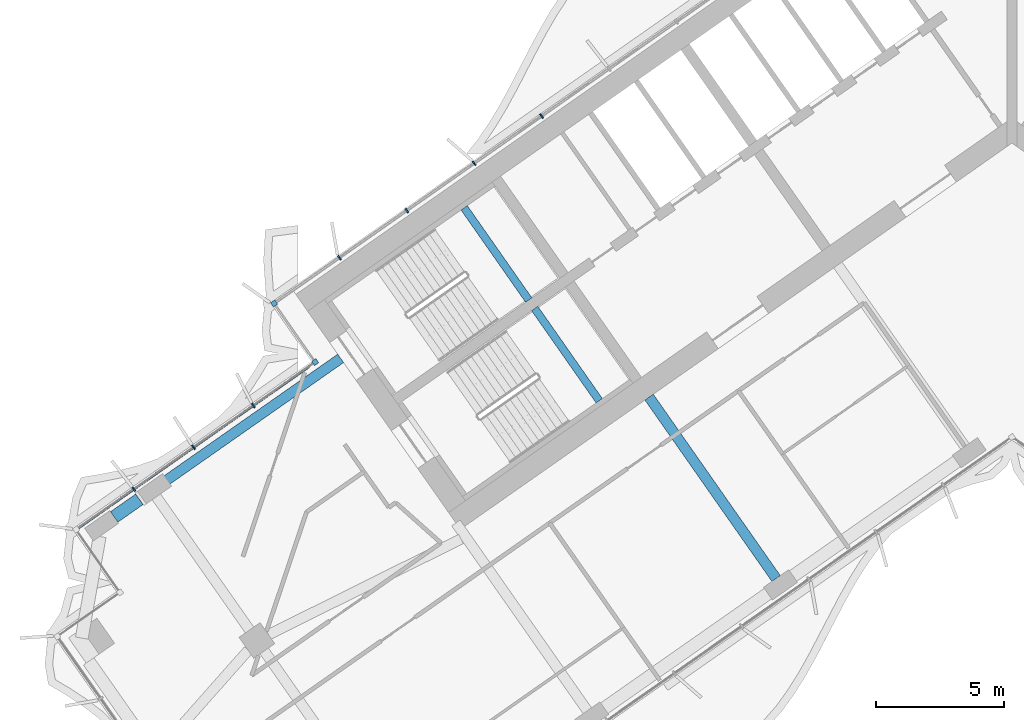
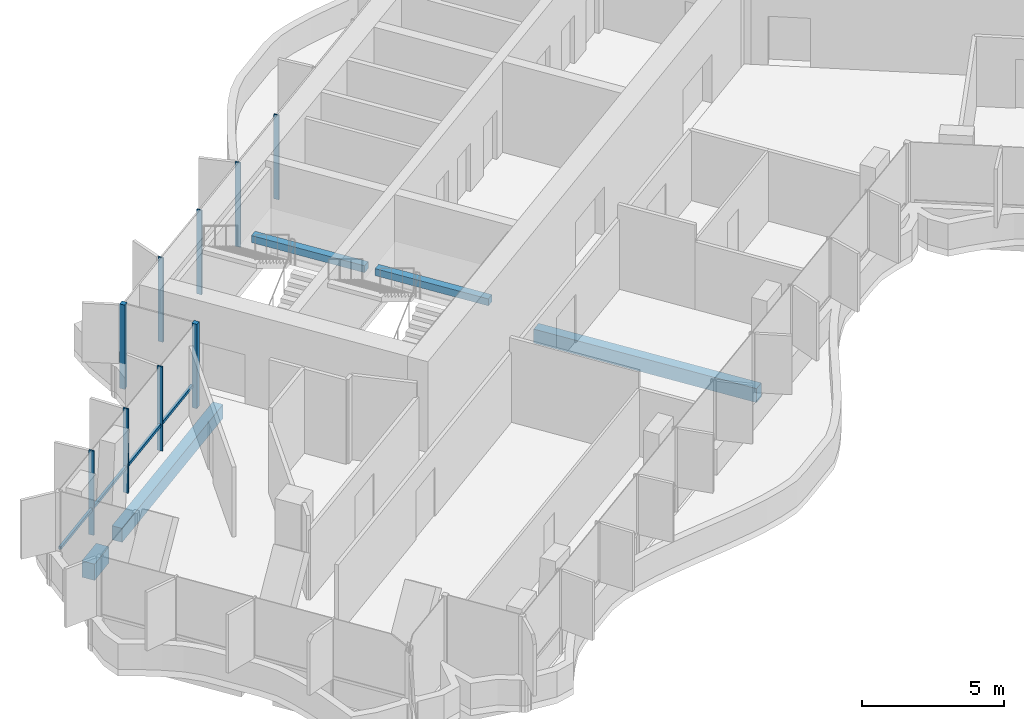
# One storey, part 4 of 23: 10 members, 5 beams, 2 elements without a shape of their own.
"""IFC4 building model written with IfcOpenShell, lengths in metres."""

import ifcopenshell
import ifcopenshell.guid

model = None  # the IFC model being written
_history = None  # IfcOwnerHistory: only IFC2X3 demands one
_inside = {}  # id of a spatial element -> (the spatial element, [elements in it])
_under = {}  # id of a project, library or spatial element -> (it, [spatial elements below it])
_declared = {}  # id of a project -> (the project, [libraries it declares])
_typed = {}  # id of a type object -> (the type object, [elements of that type])
_made_of = {}  # id of a material, layer set ... -> (it, [elements and type objects made of it])


def new_model(schema):
    """Start an empty IFC model of exactly this schema.

    Asked for "IFC4X3", IfcOpenShell would pick the latest addendum, in which some entities
    have other attributes; the version numbers below select the first issue.
    IFC2X3 requires an IfcOwnerHistory on every rooted entity: one is made here for all.
    """
    global model, _history
    if schema == "IFC4X3":
        model = ifcopenshell.file(schema_version=(4, 3, 0, 0))
    else:
        model = ifcopenshell.file(schema=schema)
    _inside.clear()
    _under.clear()
    _declared.clear()
    _typed.clear()
    _made_of.clear()
    _history = None
    if model.schema == "IFC2X3":
        org = make("IfcOrganization", Name="unknown")
        user = make(
            "IfcPersonAndOrganization",
            ThePerson=make("IfcPerson", FamilyName="unknown"),
            TheOrganization=org,
        )
        app = make(
            "IfcApplication",
            ApplicationDeveloper=org,
            Version="unknown",
            ApplicationFullName="unknown",
            ApplicationIdentifier="unknown",
        )
        _history = make(
            "IfcOwnerHistory",
            OwningUser=user,
            OwningApplication=app,
            ChangeAction="ADDED",
            CreationDate=0,
        )
    return model


def make(cls, **values):
    """One entity of the class cls with the attributes given. An attribute that is None is left unset."""
    return model.create_entity(
        cls, **{name: value for name, value in values.items() if value is not None}
    )


def rooted(cls, **values):
    """An entity with a GlobalId (a new one), such as an element, a storey or a relation."""
    return make(cls, GlobalId=ifcopenshell.guid.new(), OwnerHistory=_history, **values)


def si_unit(unit_type, name, prefix=None):
    """IfcSIUnit, for example si_unit("LENGTHUNIT", "METRE", prefix="MILLI")."""
    return make("IfcSIUnit", UnitType=unit_type, Prefix=prefix, Name=name)


def assignment(units):
    """IfcUnitAssignment: the units of a project."""
    return None if units is None else make("IfcUnitAssignment", Units=units)


def point(xyz):
    """IfcCartesianPoint."""
    return None if xyz is None else make("IfcCartesianPoint", Coordinates=xyz)


def direction(xyz):
    """IfcDirection."""
    return None if xyz is None else make("IfcDirection", DirectionRatios=xyz)


def frame(location, z_axis=None, x_axis=None):
    """IfcAxis2Placement3D, a coordinate frame: its origin and axes. An axis left out is left unset."""
    return make(
        "IfcAxis2Placement3D",
        Location=point(location),
        Axis=direction(z_axis),
        RefDirection=direction(x_axis),
    )


def frame_2d(location, x_axis=None):
    """IfcAxis2Placement2D, a coordinate frame in the plane: its origin and x axis."""
    return make(
        "IfcAxis2Placement2D", Location=point(location), RefDirection=direction(x_axis)
    )


def origin():
    """The frame at (0, 0, 0) with its axes left unset."""
    return frame((0.0, 0.0, 0.0))


def origin_2d():
    """The frame at (0, 0) in the plane with its x axis left unset."""
    return frame_2d((0.0, 0.0))


def place(relative_to, where):
    """IfcLocalPlacement: puts the frame where relative to a parent placement (None: the world)."""
    return make(
        "IfcLocalPlacement", PlacementRelTo=relative_to, RelativePlacement=where
    )


def context(
    kind, dimensions, precision=None, world=None, true_north=None, identifier=None
):
    """IfcGeometricRepresentationContext, for example the 3D "Model" context."""
    return make(
        "IfcGeometricRepresentationContext",
        ContextIdentifier=identifier,
        ContextType=kind,
        CoordinateSpaceDimension=dimensions,
        Precision=precision,
        WorldCoordinateSystem=world,
        TrueNorth=true_north,
    )


def subcontext(parent, identifier, kind, view, scale=None):
    """IfcGeometricRepresentationSubContext, for example "Body" below "Model"."""
    return make(
        "IfcGeometricRepresentationSubContext",
        ContextIdentifier=identifier,
        ContextType=kind,
        ParentContext=parent,
        TargetScale=scale,
        TargetView=view,
    )


def project(units=None, contexts=None):
    """IfcProject with its units and contexts."""
    return rooted(
        "IfcProject",
        Name="project",
        RepresentationContexts=contexts,
        UnitsInContext=assignment(units),
    )


def spatial(cls, under=None, at=None, **own):
    """A site, building, storey or space (cls), placed at a placement, below another one or the project."""
    s = rooted(cls, ObjectPlacement=at, **own)
    if under is not None:
        _under.setdefault(under.id(), (under, []))[1].append(s)
    return s


def profile(cls, at=None, kind="AREA", **sizes):
    """A parametric profile (cls). Its sizes go by their IFC names, for example OverallWidth=200.0."""
    return make(cls, ProfileType=kind, Position=at, **sizes)


def rectangle(**sizes):
    """IfcRectangleProfileDef."""
    return profile("IfcRectangleProfileDef", **sizes)


def extrude(swept, where, along, depth):
    """IfcExtrudedAreaSolid: the profile swept, set in the frame where, extruded along a direction by depth."""
    return make(
        "IfcExtrudedAreaSolid",
        SweptArea=swept,
        Position=where,
        ExtrudedDirection=direction(along),
        Depth=depth,
    )


def shape(context_of_items, identifier, shape_type, items):
    """IfcShapeRepresentation: the items that make up one representation, for example the "Body"."""
    return make(
        "IfcShapeRepresentation",
        ContextOfItems=context_of_items,
        RepresentationIdentifier=identifier,
        RepresentationType=shape_type,
        Items=items,
    )


def material(Name=None, Category=None):
    """IfcMaterial."""
    return make("IfcMaterial", Name=Name, Category=Category)


def material_profile(
    of_material, cross_section, Name=None, Category=None, Priority=None
):
    """IfcMaterialProfile: a cross section and its material."""
    return make(
        "IfcMaterialProfile",
        Name=Name,
        Material=of_material,
        Profile=cross_section,
        Priority=Priority,
        Category=Category,
    )


def profile_set(profiles, Name=None, composite=None):
    """IfcMaterialProfileSet."""
    return make(
        "IfcMaterialProfileSet",
        Name=Name,
        MaterialProfiles=profiles,
        CompositeProfile=composite,
    )


def made_of(thing, what):
    """Note that an element or type object is made of a material, layer set ...; save() writes the relation."""
    if what is not None:
        _made_of.setdefault(what.id(), (what, []))[1].append(thing)
    return thing


def type_object(cls, material=None, **own):
    """A type object (cls), such as IfcWallType, which elements share."""
    return made_of(rooted(cls, **own), material)


def element(
    cls,
    number,
    at=None,
    inside=None,
    cuts=None,
    type_object=None,
    material=None,
    context=None,
    identifier="Body",
    shape_type=None,
    held_by="IfcProductDefinitionShape",
    body=None,
    shapes=None,
    **own,
):
    """One element of the class cls, such as IfcWall. Its Tag is "e" and its number.

    at: its placement. inside: the storey or other place that contains it. cuts: it is an
    opening in that element (IfcRelVoidsElement). A single representation is given by context,
    identifier, shape_type and body (its items); several are given by shapes. held_by: the class
    of the entity that holds the representations. save() writes the other relations.
    """
    e = rooted(cls, Tag="e%d" % number, ObjectPlacement=at, **own)
    if body is not None:
        shapes = [shape(context, identifier, shape_type, body)]
    if shapes is not None:
        e.Representation = make(held_by, Representations=shapes)
    if inside is not None:
        _inside.setdefault(inside.id(), (inside, []))[1].append(e)
    if cuts is not None:
        rooted(
            "IfcRelVoidsElement", RelatingBuildingElement=cuts, RelatedOpeningElement=e
        )
    if type_object is not None:
        _typed.setdefault(type_object.id(), (type_object, []))[1].append(e)
    return made_of(e, material)


def aggregate(whole, parts):
    """IfcRelAggregates: a whole, such as a stair, and the parts it consists of."""
    return rooted("IfcRelAggregates", RelatingObject=whole, RelatedObjects=parts)


def save(model, path):
    """Write the relations noted so far, then the file.

    IfcRelAggregates (storeys below a building ...), IfcRelContainedInSpatialStructure (elements
    in a storey), IfcRelDefinesByType, IfcRelAssociatesMaterial and IfcRelDeclares: one each for
    every whole, place, type object, material and project.
    """
    for whole, parts in _under.values():
        aggregate(whole, parts)
    for where, things in _inside.values():
        rooted(
            "IfcRelContainedInSpatialStructure",
            RelatedElements=things,
            RelatingStructure=where,
        )
    for kind, things in _typed.values():
        rooted("IfcRelDefinesByType", RelatedObjects=things, RelatingType=kind)
    for what, things in _made_of.values():
        rooted("IfcRelAssociatesMaterial", RelatedObjects=things, RelatingMaterial=what)
    for by, libraries in _declared.values():
        rooted("IfcRelDeclares", RelatingContext=by, RelatedDefinitions=libraries)
    model.write(path)


model = new_model("IFC4")

# Units and contexts
model_context = context("Model", 3, precision=1e-05, world=origin(), true_north=direction((0.0, 1.0)))
body_context = subcontext(model_context, "Body", "Model", "MODEL_VIEW")
ifc_project = project(units=[si_unit("LENGTHUNIT", "METRE"), si_unit("AREAUNIT", "SQUARE_METRE"), si_unit("VOLUMEUNIT", "CUBIC_METRE"), si_unit("PLANEANGLEUNIT", "RADIAN"), si_unit("MASSUNIT", "GRAM", prefix="KILO")], contexts=[model_context])

# Site, building, storey
site_placement = place(None, origin())
site = spatial("IfcSite", under=ifc_project, at=site_placement, CompositionType="ELEMENT")
building_placement = place(site_placement, origin())
building = spatial("IfcBuilding", under=site, at=building_placement, Name="Tel Ilan Convention Tower", CompositionType="ELEMENT")
storey_placement = place(building_placement, frame((0.0, 0.0, 198.300048828125)))
storey = spatial("IfcBuildingStorey", under=building, at=storey_placement, Name="L46", CompositionType="ELEMENT", Elevation=198.300048828125)

# Beams
ifc_material_1 = material(Name="Concrete C40/50", Category="concrete")
ifc_material_profile_1 = material_profile(ifc_material_1, rectangle(XDim=0.39990234375, YDim=0.60009765625, at=origin_2d()), Name="RC 400x600")
ifc_profile_set_1 = profile_set([ifc_material_profile_1], Name="Concrete C40/50")
beam_type_1 = type_object("IfcBeamType", Name="Beam RC 400x600 Concrete C40/50", PredefinedType="BEAM", material=ifc_profile_set_1)
beam_1_placement = place(storey_placement, frame((-33.09912109375, -14.44775390625, -0.580078125), z_axis=(0.819147254605, 0.573583276668, 0.0), x_axis=(-0.573583276668, 0.819147254605, 0.0)))
element("IfcBeam", 1, at=beam_1_placement, inside=storey, type_object=beam_type_1, Name="L46 beam W-W-B4-core", PredefinedType="BEAM", context=body_context, shape_type="SweptSolid", body=[
    extrude(rectangle(XDim=0.39990234375, YDim=0.60009765625, at=origin_2d()), origin(), (0.0, 0.0, 1.0), 8.400146484375),
])
beam_2_placement = place(storey_placement, frame((-9.209716796875, -18.229248046875, -0.580078125), z_axis=(-0.573574099654, 0.819153680457, 0.0), x_axis=(-0.819153680457, -0.573574099654, 0.0)))
element("IfcBeam", 2, at=beam_2_placement, inside=storey, type_object=beam_type_1, Name="L46 beam W-W-F2-core", PredefinedType="BEAM", context=body_context, shape_type="SweptSolid", body=[
    extrude(rectangle(XDim=0.39990234375, YDim=0.60009765625, at=origin_2d()), origin(), (0.0, 0.0, 1.0), 8.64990234375),
])
ifc_material_2 = material(Name="Concrete C40/50", Category="concrete")
ifc_material_profile_2 = material_profile(ifc_material_2, rectangle(XDim=0.5, YDim=0.699951171875, at=origin_2d()), Name="RC 500x700")
ifc_profile_set_2 = profile_set([ifc_material_profile_2], Name="Concrete C40/50")
beam_type_2 = type_object("IfcBeamType", Name="Beam RC 500x700 Concrete C40/50", PredefinedType="BEAM", material=ifc_profile_set_2)
beam_3_placement = place(storey_placement, frame((-35.06494140625, -15.82421875, -0.630126953125), z_axis=(0.819155442668, 0.573571582932, 0.0), x_axis=(-0.573571582932, 0.819155442668, 0.0)))
element("IfcBeam", 3, at=beam_3_placement, inside=storey, type_object=beam_type_2, Name="L46 beam W-W-BC-W-B4", PredefinedType="BEAM", context=body_context, shape_type="SweptSolid", body=[
    extrude(rectangle(XDim=0.5, YDim=0.699951171875, at=origin_2d()), origin(), (0.0, 0.0, 1.0), 1.199951171875),
])

# Curtain wall, members
ifc_material_3 = material(Name="Aluminium, bronze anodised", Category="aluminium")
curtain_wall_type_1 = type_object("IfcCurtainWallType", Name="CW2 STICK CURTAIN WALL, SPANDREL PANELS", PredefinedType="NOTDEFINED", material=ifc_material_3)
curtain_wall_1_placement = place(storey_placement, origin())
curtain_wall_1 = element("IfcCurtainWall", 4, at=curtain_wall_1_placement, inside=storey, type_object=curtain_wall_type_1, Name="Curtain wall CW2-36.01", PredefinedType="NOTDEFINED")
ifc_material_4 = material(Name="Aluminium, bronze anodised", Category="aluminium")
ifc_material_profile_3 = material_profile(ifc_material_4, rectangle(XDim=0.199951171875, YDim=0.199951171875, at=origin_2d()), Name="CW CORNER MULLION 200x200")
ifc_profile_set_3 = profile_set([ifc_material_profile_3], Name="Aluminium, bronze anodised")
member_type_1 = type_object("IfcMemberType", Name="CW CORNER MULLION 200x200", PredefinedType="MULLION", material=ifc_profile_set_3)
member_1_placement = place(storey_placement, frame((-28.819580078125, -7.483642578125, 0.0), z_axis=(0.0, 0.0, 1.0), x_axis=(-0.819152044289, -0.573576436351, 0.0)))
member_1 = element("IfcMember", 5, at=member_1_placement, type_object=member_type_1, Name="Corner mullion", PredefinedType="MULLION", context=body_context, shape_type="SweptSolid", body=[
    extrude(rectangle(XDim=0.199951171875, YDim=0.199951171875, at=origin_2d()), origin(), (0.0, 0.0, 1.0), 3.619873046875),
])
member_2_placement = place(storey_placement, frame((-27.213623046875, -9.77734375, 0.0), z_axis=(0.0, 0.0, 1.0), x_axis=(0.573576436351, -0.819152044289, 0.0)))
member_2 = element("IfcMember", 6, at=member_2_placement, type_object=member_type_1, Name="Corner mullion", PredefinedType="MULLION", context=body_context, shape_type="SweptSolid", body=[
    extrude(rectangle(XDim=0.199951171875, YDim=0.199951171875, at=origin_2d()), origin(), (0.0, 0.0, 1.0), 3.619873046875),
])
ifc_material_5 = material(Name="Aluminium, bronze anodised", Category="aluminium")
ifc_material_profile_4 = material_profile(ifc_material_5, rectangle(XDim=0.06005859375, YDim=0.199951171875, at=origin_2d()), Name="CW MULLION 60x200")
ifc_profile_set_4 = profile_set([ifc_material_profile_4], Name="Aluminium, bronze anodised")
member_type_2 = type_object("IfcMemberType", Name="CW MULLION 60x200", PredefinedType="MULLION", material=ifc_profile_set_4)
member_3_placement = place(storey_placement, frame((-18.37109375, -0.16748046875, 0.0), z_axis=(0.0, 0.0, 1.0), x_axis=(-0.819152044289, -0.573576436351, 0.0)))
member_3 = element("IfcMember", 7, at=member_3_placement, type_object=member_type_2, Name="Mullion", PredefinedType="MULLION", context=body_context, shape_type="SweptSolid", body=[
    extrude(rectangle(XDim=0.06005859375, YDim=0.199951171875, at=origin_2d()), origin(), (0.0, 0.0, 1.0), 3.619873046875),
])
member_4_placement = place(storey_placement, frame((-21.003662109375, -2.0107421875, 0.0), z_axis=(0.0, 0.0, 1.0), x_axis=(-0.819152044289, -0.573576436351, 0.0)))
member_4 = element("IfcMember", 8, at=member_4_placement, type_object=member_type_2, Name="Mullion", PredefinedType="MULLION", context=body_context, shape_type="SweptSolid", body=[
    extrude(rectangle(XDim=0.06005859375, YDim=0.199951171875, at=origin_2d()), origin(), (0.0, 0.0, 1.0), 3.619873046875),
])
member_5_placement = place(storey_placement, frame((-23.63623046875, -3.854248046875, 0.0), z_axis=(0.0, 0.0, 1.0), x_axis=(-0.819152044289, -0.573576436351, 0.0)))
member_5 = element("IfcMember", 9, at=member_5_placement, type_object=member_type_2, Name="Mullion", PredefinedType="MULLION", context=body_context, shape_type="SweptSolid", body=[
    extrude(rectangle(XDim=0.06005859375, YDim=0.199951171875, at=origin_2d()), origin(), (0.0, 0.0, 1.0), 3.619873046875),
])
member_6_placement = place(storey_placement, frame((-26.268798828125, -5.697509765625, 0.0), z_axis=(0.0, 0.0, 1.0), x_axis=(-0.819152044289, -0.573576436351, 0.0)))
member_6 = element("IfcMember", 10, at=member_6_placement, type_object=member_type_2, Name="Mullion", PredefinedType="MULLION", context=body_context, shape_type="SweptSolid", body=[
    extrude(rectangle(XDim=0.06005859375, YDim=0.199951171875, at=origin_2d()), origin(), (0.0, 0.0, 1.0), 3.619873046875),
])
aggregate(curtain_wall_1, [member_3, member_4, member_5, member_6, member_1, member_2])

ifc_material_6 = material(Name="Aluminium, bronze anodised", Category="aluminium")
curtain_wall_type_2 = type_object("IfcCurtainWallType", Name="CW4 STICK CURTAIN WALL, OFFICE TINTED GLASS", PredefinedType="NOTDEFINED", material=ifc_material_6)
curtain_wall_2_placement = place(storey_placement, origin())
curtain_wall_2 = element("IfcCurtainWall", 11, at=curtain_wall_2_placement, inside=storey, type_object=curtain_wall_type_2, Name="Curtain wall CW4-36.02", PredefinedType="NOTDEFINED")
member_7_placement = place(storey_placement, frame((-29.630126953125, -11.46923828125, 0.0), z_axis=(0.0, 0.0, 1.0), x_axis=(-0.819152044289, -0.573576436351, 0.0)))
member_7 = element("IfcMember", 12, at=member_7_placement, type_object=member_type_2, Name="Mullion", PredefinedType="MULLION", context=body_context, shape_type="SweptSolid", body=[
    extrude(rectangle(XDim=0.06005859375, YDim=0.199951171875, at=origin_2d()), origin(), (0.0, 0.0, 1.0), 3.619873046875),
])
member_8_placement = place(storey_placement, frame((-31.964599609375, -13.10400390625, 0.0), z_axis=(0.0, 0.0, 1.0), x_axis=(-0.819152044289, -0.573576436351, 0.0)))
member_8 = element("IfcMember", 13, at=member_8_placement, type_object=member_type_2, Name="Mullion", PredefinedType="MULLION", context=body_context, shape_type="SweptSolid", body=[
    extrude(rectangle(XDim=0.06005859375, YDim=0.199951171875, at=origin_2d()), origin(), (0.0, 0.0, 1.0), 3.619873046875),
])
member_9_placement = place(storey_placement, frame((-34.299072265625, -14.73876953125, 0.0), z_axis=(0.0, 0.0, 1.0), x_axis=(-0.819152044289, -0.573576436351, 0.0)))
member_9 = element("IfcMember", 14, at=member_9_placement, type_object=member_type_2, Name="Mullion", PredefinedType="MULLION", context=body_context, shape_type="SweptSolid", body=[
    extrude(rectangle(XDim=0.06005859375, YDim=0.199951171875, at=origin_2d()), origin(), (0.0, 0.0, 1.0), 3.619873046875),
])
ifc_material_7 = material(Name="Aluminium, bronze anodised", Category="aluminium")
ifc_material_profile_5 = material_profile(ifc_material_7, rectangle(XDim=0.10009765625, YDim=0.1201171875, at=origin_2d()), Name="CW TRANSOM 100x120")
ifc_profile_set_5 = profile_set([ifc_material_profile_5], Name="Aluminium, bronze anodised")
member_type_3 = type_object("IfcMemberType", Name="CW TRANSOM 100x120", PredefinedType="USERDEFINED", material=ifc_profile_set_5)
member_10_placement = place(storey_placement, frame((-27.459228515625, -9.94921875, 1.099853515625), z_axis=(-0.819154753687, -0.57357256691, 0.0), x_axis=(0.57357256691, -0.819154753687, 0.0)))
member_10 = element("IfcMember", 15, at=member_10_placement, type_object=member_type_3, Name="Transom", ObjectType="TRANSOM", PredefinedType="USERDEFINED", context=body_context, shape_type="SweptSolid", body=[
    extrude(rectangle(XDim=0.10009765625, YDim=0.1201171875, at=origin_2d()), origin(), (0.0, 0.0, 1.0), 11.0),
])
aggregate(curtain_wall_2, [member_7, member_8, member_9, member_10])

# Beams
ifc_material_8 = material(Name="Concrete C40/50", Category="concrete")
ifc_material_profile_6 = material_profile(ifc_material_8, rectangle(XDim=0.300048828125, YDim=0.300048828125, at=origin_2d()), Name="RC 300x300")
ifc_profile_set_6 = profile_set([ifc_material_profile_6], Name="Concrete C40/50")
beam_type_3 = type_object("IfcBeamType", Name="Landing Beam RC 300x300 Concrete C40/50", PredefinedType="BEAM", material=ifc_profile_set_6)
beam_4_placement = place(storey_placement, frame((-18.870361328125, -7.353515625, 1.599853515625), z_axis=(-0.57354426506, 0.819174569928, 0.0), x_axis=(-0.819174569928, -0.57354426506, 0.0)))
element("IfcBeam", 16, at=beam_4_placement, inside=storey, type_object=beam_type_3, Name="S1 landing beam L46.1", PredefinedType="BEAM", context=body_context, shape_type="SweptSolid", body=[
    extrude(rectangle(XDim=0.300048828125, YDim=0.300048828125, at=origin_2d()), origin(), (0.0, 0.0, 1.0), 4.400146484375),
])
beam_5_placement = place(storey_placement, frame((-16.1171875, -11.285400390625, 1.599853515625), z_axis=(-0.573570334442, 0.819156316858, 0.0), x_axis=(-0.819156316858, -0.573570334442, 0.0)))
element("IfcBeam", 17, at=beam_5_placement, inside=storey, type_object=beam_type_3, Name="S2 landing beam L46.1", PredefinedType="BEAM", context=body_context, shape_type="SweptSolid", body=[
    extrude(rectangle(XDim=0.300048828125, YDim=0.300048828125, at=origin_2d()), origin(), (0.0, 0.0, 1.0), 4.39990234375),
])

save(model, "model.ifc")
